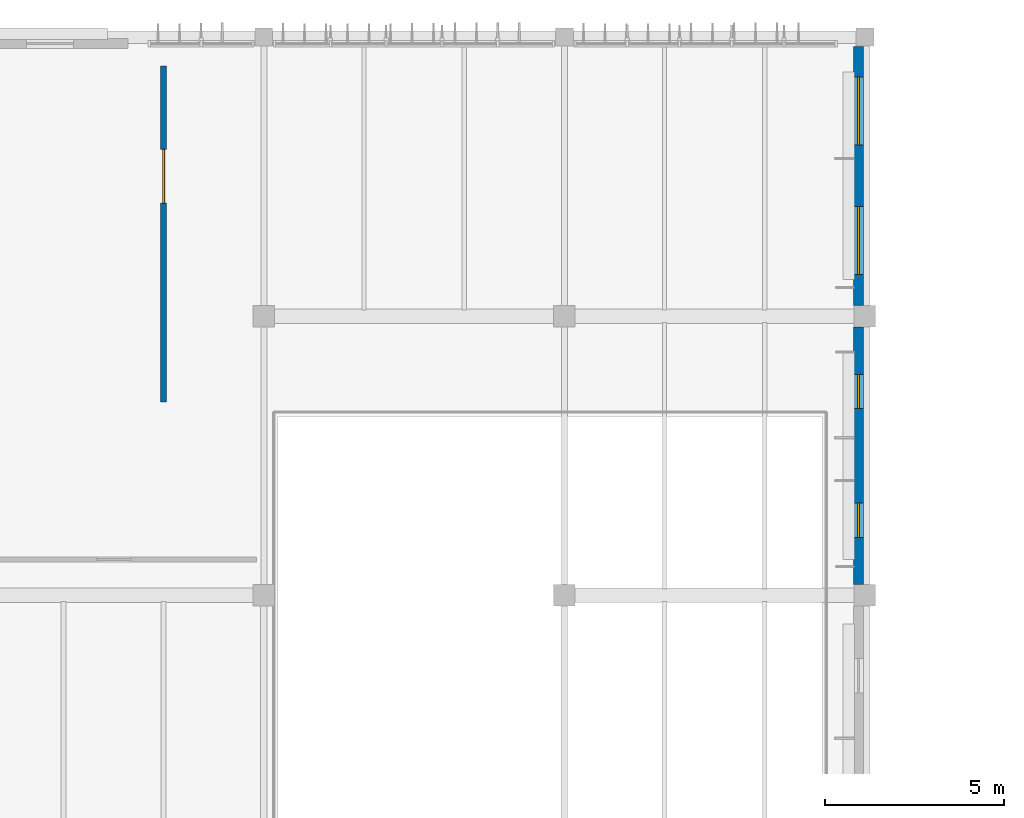
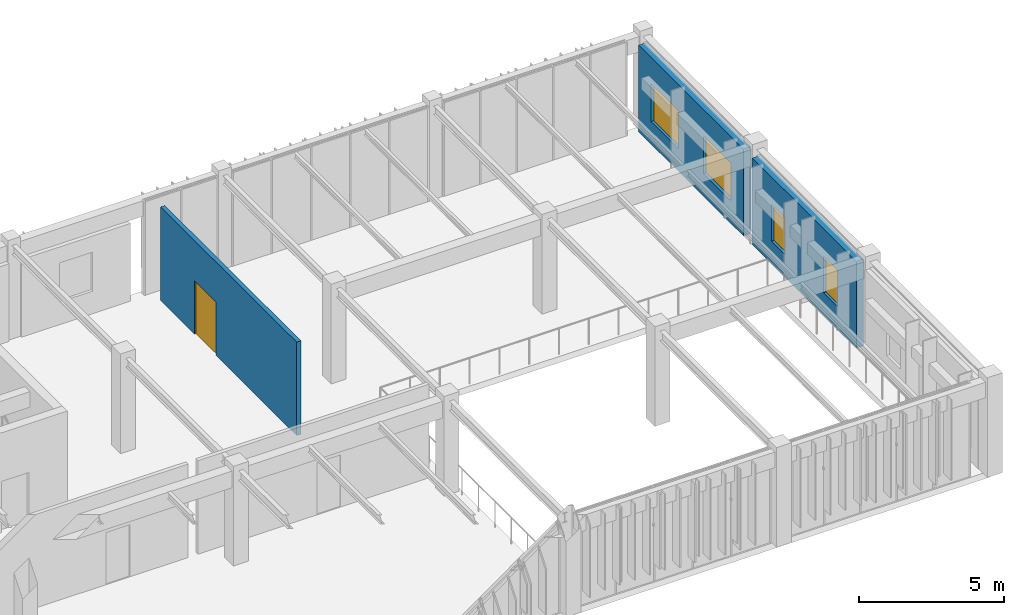
# One storey, part 48 of 122: 4 windows, 3 walls, 1 door, 5 openings.
"""IFC4 building model written with IfcOpenShell, lengths in metres."""

from ifc_helpers import new_model, si_unit, direction, frame, frame_2d, origin, place, context, subcontext, project, spatial, rectangle, extrude, material, layer, layer_set, type_object, element, fill, save


model = new_model("IFC4")

# Units and contexts
model_context = context("Model", 3, precision=1e-05, world=origin(), true_north=direction((0.0, 1.0)))
body_context = subcontext(model_context, "Body", "Model", "MODEL_VIEW")
ifc_project = project(units=[si_unit("LENGTHUNIT", "METRE"), si_unit("AREAUNIT", "SQUARE_METRE"), si_unit("VOLUMEUNIT", "CUBIC_METRE"), si_unit("PLANEANGLEUNIT", "RADIAN"), si_unit("MASSUNIT", "GRAM", prefix="KILO")], contexts=[model_context])

# Site, building, storey
site_placement = place(None, origin())
site = spatial("IfcSite", under=ifc_project, at=site_placement, CompositionType="ELEMENT")
building_placement = place(site_placement, origin())
building = spatial("IfcBuilding", under=site, at=building_placement, Name="Tazoul Stagehouse", CompositionType="ELEMENT")
storey_placement = place(building_placement, frame((0.0, 0.0, 4.800048828125)))
storey = spatial("IfcBuildingStorey", under=building, at=storey_placement, Name="L01", CompositionType="ELEMENT", Elevation=4.800048828125)

# Wall, opening, door
ifc_material_1 = material(Name="Gypsum Acoustic Partition", Category="gypsum")
ifc_layer_1 = layer(ifc_material_1, 0.169921875, Name="Gypsum Acoustic Partition")
ifc_layer_set_1 = layer_set([ifc_layer_1], Name="Gypsum Acoustic Partition")
wall_type_1 = type_object("IfcWallType", Name="Corridor Fire-Rated Partition 170", PredefinedType="PARTITIONING", material=ifc_layer_set_1)
wall_1_placement = place(storey_placement, frame((131.0, 101.60009765625, 0.0), z_axis=(0.0, 0.0, 1.0), x_axis=(0.0, 1.0, 0.0)))
wall_1 = element("IfcWall", 1, at=wall_1_placement, inside=storey, type_object=wall_type_1, Name="L01 Partition PW-170 (PW-RM-L01-039-W)", PredefinedType="PARTITIONING", context=body_context, shape_type="SweptSolid", body=[
    extrude(rectangle(XDim=9.39990234375, YDim=0.169921875, at=frame_2d((4.699951171875, 0.0))), origin(), (0.0, 0.0, 1.0), 3.93994140625),
])
opening_1_placement = place(wall_1_placement, frame((5.563720703125, 0.0, 0.0)))
opening_1 = element("IfcOpeningElement", 2, at=opening_1_placement, cuts=wall_1, Name="Opening ID-20", PredefinedType="OPENING", context=body_context, shape_type="SweptSolid", body=[
    extrude(rectangle(XDim=1.5, YDim=2.25, at=frame_2d((0.75, 1.125))), frame((0.0, 0.10498046875, 0.0), z_axis=(0.0, -1.0, 0.0), x_axis=(1.0, 0.0, 0.0)), (0.0, 0.0, 1.0), 0.2099609375),
])
ifc_material_2 = material(Name="Acoustic Cedar Timber", Category="wood")
door_type = type_object("IfcDoorType", Name="Wardrobe Workshop Double Door 1500x2250", OperationType="DOUBLE_DOOR_SINGLE_SWING", PredefinedType="DOOR", material=ifc_material_2)
door_placement = place(opening_1_placement, origin())
door = element("IfcDoor", 3, at=door_placement, inside=storey, type_object=door_type, Name="L01 Paint Frame Mezzanine Gallery Door", OperationType="DOUBLE_DOOR_SINGLE_SWING", OverallHeight=2.25, OverallWidth=1.5, PredefinedType="DOOR", context=body_context, shape_type="SweptSolid", body=[
    extrude(rectangle(XDim=1.5, YDim=2.25, at=frame_2d((0.75, 1.125))), frame((0.0, 0.02490234375, 0.0), z_axis=(0.0, -1.0, 0.0), x_axis=(1.0, 0.0, 0.0)), (0.0, 0.0, 1.0), 0.050048828125),
])
fill(opening_1, door)

# Wall, openings, windows
ifc_material_3 = material(Name="Precast concrete C40/50", Category="concrete")
ifc_layer_2 = layer(ifc_material_3, 0.280029296875, Name="Precast concrete C40/50")
ifc_layer_set_2 = layer_set([ifc_layer_2], Name="Precast concrete C40/50")
wall_type_2 = type_object("IfcWallType", Name="Insulated Precast Acoustic Cladding Wall 280", PredefinedType="SOLIDWALL", material=ifc_layer_set_2)
wall_2_placement = place(storey_placement, frame((150.419921875, 96.5048828125, 0.0), z_axis=(0.0, 0.0, 1.0), x_axis=(0.0, 1.0, 0.0)))
wall_2 = element("IfcWall", 4, at=wall_2_placement, inside=storey, type_object=wall_type_2, Name="L01 Wall EW-280 (WALL-V3-E-L01-S2)", PredefinedType="SOLIDWALL", context=body_context, shape_type="SweptSolid", body=[
    extrude(rectangle(XDim=7.190185546875, YDim=0.280029296875, at=frame_2d((3.59521484375, 0.0))), origin(), (0.0, 0.0, 1.0), 3.65283203125),
])
opening_2_placement = place(wall_2_placement, frame((1.3173828125, 0.0, 0.949951171875)))
opening_2 = element("IfcOpeningElement", 5, at=opening_2_placement, cuts=wall_2, Name="Opening WN-35", PredefinedType="OPENING", context=body_context, shape_type="SweptSolid", body=[
    extrude(rectangle(XDim=0.9599609375, YDim=1.550048828125, at=frame_2d((0.47998046875, 0.77490234375))), frame((0.0, 0.159912109375, 0.0), z_axis=(0.0, -1.0, 0.0), x_axis=(1.0, 0.0, 0.0)), (0.0, 0.0, 1.0), 0.320068359375),
])
opening_3_placement = place(wall_2_placement, frame((4.91259765625, 0.0, 0.949951171875)))
opening_3 = element("IfcOpeningElement", 6, at=opening_3_placement, cuts=wall_2, Name="Opening WN-35", PredefinedType="OPENING", context=body_context, shape_type="SweptSolid", body=[
    extrude(rectangle(XDim=0.9599609375, YDim=1.550048828125, at=frame_2d((0.47998046875, 0.77490234375))), frame((0.0, 0.159912109375, 0.0), z_axis=(0.0, -1.0, 0.0), x_axis=(1.0, 0.0, 0.0)), (0.0, 0.0, 1.0), 0.320068359375),
])
ifc_material_4 = material(Name="Double Low-E Acoustic Laminated Glass", Category="glass")
window_type_1 = type_object("IfcWindowType", Name="Architectural Acoustic Facade Window 960x1550", PartitioningType="SINGLE_PANEL", PredefinedType="WINDOW", material=ifc_material_4)
window_1_placement = place(opening_2_placement, origin())
window_1 = element("IfcWindow", 7, at=window_1_placement, inside=storey, type_object=window_type_1, Name="L01 Window WN-35 (WALL-V3-E-L01-S2-W1)", OverallHeight=1.550048828125, OverallWidth=0.9599609375, PartitioningType="SINGLE_PANEL", PredefinedType="WINDOW", context=body_context, shape_type="SweptSolid", body=[
    extrude(rectangle(XDim=0.9599609375, YDim=1.550048828125, at=frame_2d((0.47998046875, 0.77490234375))), frame((0.0, 0.030029296875, 0.0), z_axis=(0.0, -1.0, 0.0), x_axis=(1.0, 0.0, 0.0)), (0.0, 0.0, 1.0), 0.06005859375),
])
fill(opening_2, window_1)
window_2_placement = place(opening_3_placement, origin())
window_2 = element("IfcWindow", 8, at=window_2_placement, inside=storey, type_object=window_type_1, Name="L01 Window WN-35 (WALL-V3-E-L01-S2-W2)", OverallHeight=1.550048828125, OverallWidth=0.9599609375, PartitioningType="SINGLE_PANEL", PredefinedType="WINDOW", context=body_context, shape_type="SweptSolid", body=[
    extrude(rectangle(XDim=0.9599609375, YDim=1.550048828125, at=frame_2d((0.47998046875, 0.77490234375))), frame((0.0, 0.030029296875, 0.0), z_axis=(0.0, -1.0, 0.0), x_axis=(1.0, 0.0, 0.0)), (0.0, 0.0, 1.0), 0.06005859375),
])
fill(opening_3, window_2)

wall_3_placement = place(storey_placement, frame((150.419921875, 104.304931640625, 0.0), z_axis=(0.0, 0.0, 1.0), x_axis=(0.0, 1.0, 0.0)))
wall_3 = element("IfcWall", 9, at=wall_3_placement, inside=storey, type_object=wall_type_2, Name="L01 Wall EW-280 (WALL-V3-E-L01-S3)", PredefinedType="SOLIDWALL", context=body_context, shape_type="SweptSolid", body=[
    extrude(rectangle(XDim=7.239990234375, YDim=0.280029296875, at=frame_2d((3.6201171875, 0.0))), origin(), (0.0, 0.0, 1.0), 3.65283203125),
])
opening_4_placement = place(wall_3_placement, frame((0.860107421875, 0.0, 0.949951171875)))
opening_4 = element("IfcOpeningElement", 10, at=opening_4_placement, cuts=wall_3, Name="Opening WN-27", PredefinedType="OPENING", context=body_context, shape_type="SweptSolid", body=[
    extrude(rectangle(XDim=1.89990234375, YDim=1.60009765625, at=frame_2d((0.949951171875, 0.800048828125))), frame((0.0, 0.159912109375, 0.0), z_axis=(0.0, -1.0, 0.0), x_axis=(1.0, 0.0, 0.0)), (0.0, 0.0, 1.0), 0.320068359375),
])
opening_5_placement = place(wall_3_placement, frame((4.47998046875, 0.0, 0.949951171875)))
opening_5 = element("IfcOpeningElement", 11, at=opening_5_placement, cuts=wall_3, Name="Opening WN-27", PredefinedType="OPENING", context=body_context, shape_type="SweptSolid", body=[
    extrude(rectangle(XDim=1.89990234375, YDim=1.60009765625, at=frame_2d((0.949951171875, 0.800048828125))), frame((0.0, 0.159912109375, 0.0), z_axis=(0.0, -1.0, 0.0), x_axis=(1.0, 0.0, 0.0)), (0.0, 0.0, 1.0), 0.320068359375),
])
window_type_2 = type_object("IfcWindowType", Name="Rehearsal Daylight Window 1900x1600", PartitioningType="SINGLE_PANEL", PredefinedType="WINDOW", material=ifc_material_4)
window_3_placement = place(opening_4_placement, origin())
window_3 = element("IfcWindow", 12, at=window_3_placement, inside=storey, type_object=window_type_2, Name="L01 Window WN-27 (WALL-V3-E-L01-S3-W1)", OverallHeight=1.60009765625, OverallWidth=1.89990234375, PartitioningType="SINGLE_PANEL", PredefinedType="WINDOW", context=body_context, shape_type="SweptSolid", body=[
    extrude(rectangle(XDim=1.89990234375, YDim=1.60009765625, at=frame_2d((0.949951171875, 0.800048828125))), frame((0.0, 0.030029296875, 0.0), z_axis=(0.0, -1.0, 0.0), x_axis=(1.0, 0.0, 0.0)), (0.0, 0.0, 1.0), 0.06005859375),
])
fill(opening_4, window_3)
window_4_placement = place(opening_5_placement, origin())
window_4 = element("IfcWindow", 13, at=window_4_placement, inside=storey, type_object=window_type_2, Name="L01 Window WN-27 (WALL-V3-E-L01-S3-W2)", OverallHeight=1.60009765625, OverallWidth=1.89990234375, PartitioningType="SINGLE_PANEL", PredefinedType="WINDOW", context=body_context, shape_type="SweptSolid", body=[
    extrude(rectangle(XDim=1.89990234375, YDim=1.60009765625, at=frame_2d((0.949951171875, 0.800048828125))), frame((0.0, 0.030029296875, 0.0), z_axis=(0.0, -1.0, 0.0), x_axis=(1.0, 0.0, 0.0)), (0.0, 0.0, 1.0), 0.06005859375),
])
fill(opening_5, window_4)

save(model, "model.ifc")
